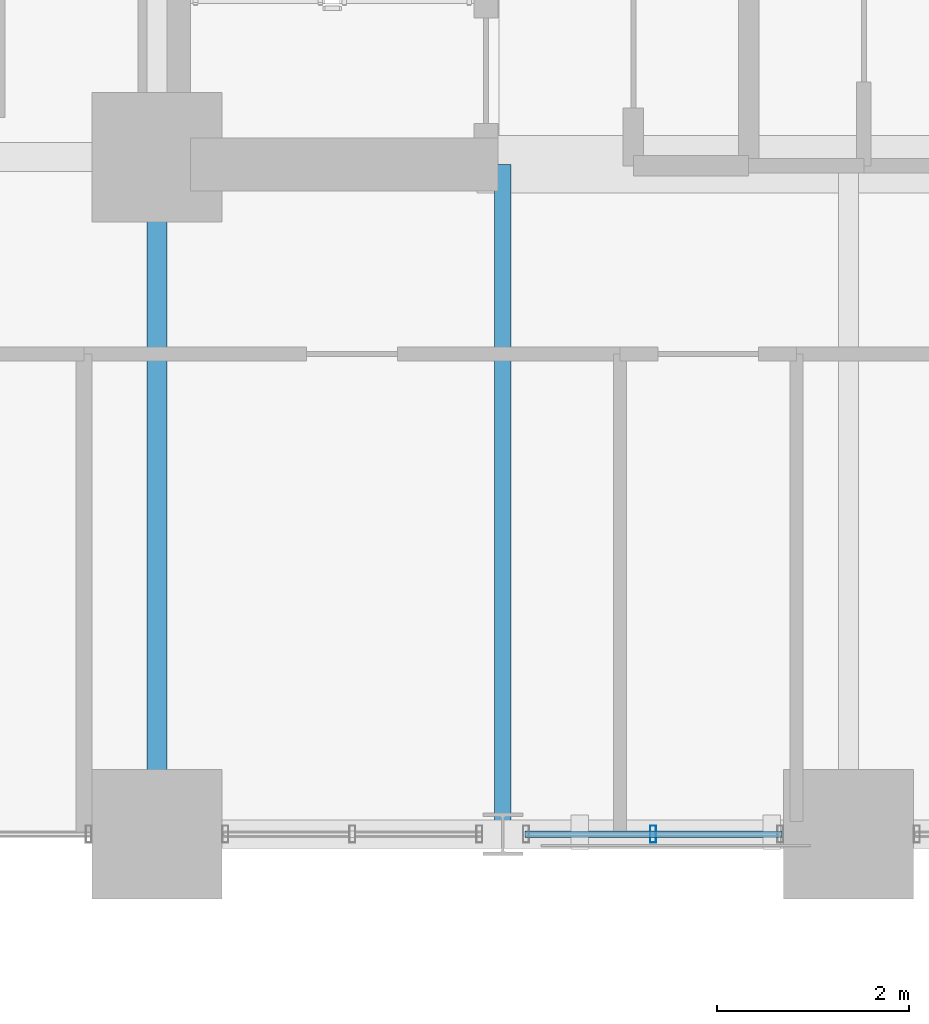
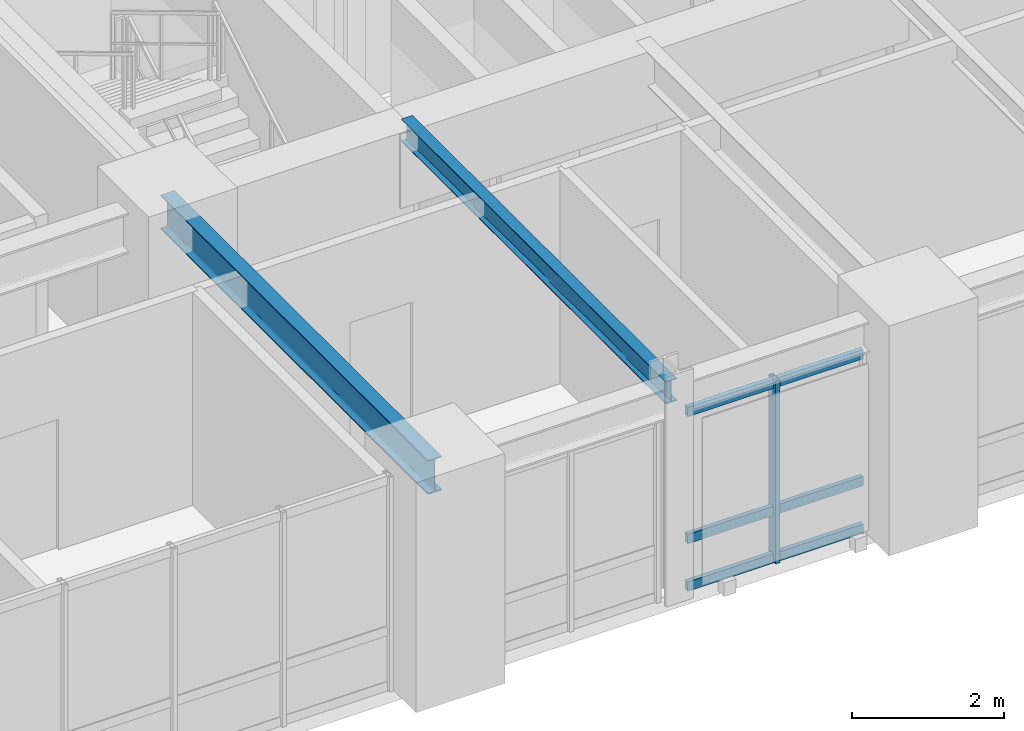
# One storey, part 3 of 17: 4 members, 2 beams, 1 element without a shape of its own.
"""IFC4 building model written with IfcOpenShell, lengths in metres."""

from ifc_helpers import new_model, si_unit, direction, frame, origin, origin_2d, place, context, subcontext, project, spatial, hollow_rectangle, i_section, extrude, source, transform, mapped, material, layer, layer_set, material_profile, profile_set, type_object, element, aggregate, save


model = new_model("IFC4")

# Units and contexts
model_context = context("Model", 3, precision=1e-05, world=origin(), true_north=direction((0.0, 1.0)))
body_context = subcontext(model_context, "Body", "Model", "MODEL_VIEW")
ifc_project = project(units=[si_unit("LENGTHUNIT", "METRE"), si_unit("AREAUNIT", "SQUARE_METRE"), si_unit("VOLUMEUNIT", "CUBIC_METRE"), si_unit("PLANEANGLEUNIT", "RADIAN"), si_unit("MASSUNIT", "GRAM", prefix="KILO")], contexts=[model_context])

# Site, building, storey
site_placement = place(None, origin())
site = spatial("IfcSite", under=ifc_project, at=site_placement, CompositionType="ELEMENT")
building_placement = place(site_placement, origin())
building = spatial("IfcBuilding", under=site, at=building_placement, Name="Kaliganga Portal Commons", CompositionType="ELEMENT")
storey_placement = place(building_placement, frame((0.0, 0.0, 43.800048828125)))
storey = spatial("IfcBuildingStorey", under=building, at=storey_placement, Name="L10", CompositionType="ELEMENT", Elevation=43.800048828125)

# Beams
ifc_material_1 = material(Name="Structural steel S355J2", Category="steel")
ifc_material_profile_1 = material_profile(ifc_material_1, i_section(OverallWidth=0.2099609375, OverallDepth=0.550048828125, WebThickness=0.010986328125, FlangeThickness=0.01708984375, FilletRadius=0.02392578125, at=origin_2d()), Name="IPE 550")
ifc_profile_set_1 = profile_set([ifc_material_profile_1], Name="Structural steel S355J2 wide-flange")
beam_type_1 = type_object("IfcBeamType", Name="BM-FLR-550", PredefinedType="BEAM", material=ifc_profile_set_1)
shared_shape_1 = source(origin(), body_context, "Body", "SweptSolid", [
    extrude(i_section(OverallWidth=0.2099609375, OverallDepth=0.550048828125, WebThickness=0.010986328125, FlangeThickness=0.01708984375, FilletRadius=0.02392578125, at=origin_2d()), origin(), (0.0, 0.0, 1.0), 7.0498046875),
])
beam_1_placement = place(storey_placement, frame((14.39990234375, 21.60009765625, 3.175048828125), z_axis=(0.0, 1.0, 0.0), x_axis=(-1.0, 0.0, 0.0)))
element("IfcBeam", 1, at=beam_1_placement, inside=storey, type_object=beam_type_1, Name="BM G L10 AS144", PredefinedType="BEAM", context=body_context, shape_type="MappedRepresentation", body=[
    mapped(shared_shape_1, transform((0.0, 0.0, 0.0), x_axis=(1.0, 0.0, 0.0), y_axis=(0.0, 1.0, 0.0), z_axis=(0.0, 0.0, 1.0), scale=1.0)),
])
ifc_material_profile_2 = material_profile(ifc_material_1, i_section(OverallWidth=0.169921875, OverallDepth=0.360107421875, WebThickness=0.008056640625, FlangeThickness=0.0126953125, FilletRadius=0.01806640625, at=origin_2d()), Name="IPE 360")
ifc_profile_set_2 = profile_set([ifc_material_profile_2], Name="Structural steel S355J2 wide-flange")
beam_type_2 = type_object("IfcBeamType", Name="BM-JST-360", PredefinedType="JOIST", material=ifc_profile_set_2)
shared_shape_2 = source(origin(), body_context, "Body", "SweptSolid", [
    extrude(i_section(OverallWidth=0.169921875, OverallDepth=0.360107421875, WebThickness=0.008056640625, FlangeThickness=0.0126953125, FilletRadius=0.01806640625, at=origin_2d()), origin(), (0.0, 0.0, 1.0), 6.974853515625),
])
beam_2_placement = place(storey_placement, frame((18.0, 21.60009765625, 3.27001953125), z_axis=(0.0, 1.0, 0.0), x_axis=(-1.0, 0.0, 0.0)))
element("IfcBeam", 2, at=beam_2_placement, inside=storey, type_object=beam_type_2, Name="BM G L10 AS180", PredefinedType="JOIST", context=body_context, shape_type="MappedRepresentation", body=[
    mapped(shared_shape_2, transform((0.0, 0.0, 0.0), x_axis=(1.0, 0.0, 0.0), y_axis=(0.0, 1.0, 0.0), z_axis=(0.0, 0.0, 1.0), scale=1.0)),
])

# Curtain wall, members
ifc_material_2 = material(Name="Anodized Aluminium and Laminated Low-E Glass", Category="aluminium")
ifc_layer = layer(ifc_material_2, 0.2099609375)
ifc_layer_set = layer_set([ifc_layer], Name="Anodized Aluminium and Laminated Low-E Glass")
curtain_wall_type = type_object("IfcCurtainWallType", Name="CW-SYS-03", PredefinedType="NOTDEFINED", material=ifc_layer_set)
curtain_wall_placement = place(storey_placement, origin())
curtain_wall = element("IfcCurtainWall", 3, at=curtain_wall_placement, inside=storey, type_object=curtain_wall_type, Name="CW 03 L10 P1E04S3", PredefinedType="NOTDEFINED")
ifc_material_3 = material(Name="Dark Bronze Anodized Aluminium", Category="aluminium")
ifc_material_profile_3 = material_profile(ifc_material_3, hollow_rectangle(XDim=0.06494140625, YDim=0.179931640625, WallThickness=0.00390625, at=origin_2d()), Name="ALU MULL 65x180x4")
ifc_profile_set_3 = profile_set([ifc_material_profile_3], Name="Dark Bronze Anodized Aluminium")
member_type_1 = type_object("IfcMemberType", Name="CW-MUL-180", PredefinedType="MULLION", material=ifc_profile_set_3)
shared_shape_3 = source(origin(), body_context, "Body", "SweptSolid", [
    extrude(hollow_rectangle(XDim=0.06494140625, YDim=0.179931640625, WallThickness=0.00390625, at=origin_2d()), origin(), (0.0, 0.0, 1.0), 2.949951171875),
])
member_1_placement = place(storey_placement, frame((19.56640625, 21.60009765625, 0.0), z_axis=(0.0, 0.0, 1.0), x_axis=(1.0, 0.0, 0.0)))
member_1 = element("IfcMember", 4, at=member_1_placement, type_object=member_type_1, Name="CW:03:L10:P1E04S3 Mullion 01", PredefinedType="MULLION", context=body_context, shape_type="MappedRepresentation", body=[
    mapped(shared_shape_3, transform((0.0, 0.0, 0.0), x_axis=(1.0, 0.0, 0.0), y_axis=(0.0, 1.0, 0.0), z_axis=(0.0, 0.0, 1.0), scale=1.0)),
])
ifc_material_profile_4 = material_profile(ifc_material_3, hollow_rectangle(XDim=0.070068359375, YDim=0.14990234375, WallThickness=0.00341796875, at=origin_2d()), Name="ALU TRAN 70x150x3.5")
ifc_profile_set_4 = profile_set([ifc_material_profile_4], Name="Dark Bronze Anodized Aluminium")
member_type_2 = type_object("IfcMemberType", Name="CW-TRN-150", PredefinedType="USERDEFINED", material=ifc_profile_set_4)
shared_shape_4 = source(origin(), body_context, "Body", "SweptSolid", [
    extrude(hollow_rectangle(XDim=0.070068359375, YDim=0.14990234375, WallThickness=0.00341796875, at=origin_2d()), origin(), (0.0, 0.0, 1.0), 2.675048828125),
])
member_2_placement = place(storey_placement, frame((18.22900390625, 21.60009765625, 0.06005859375), z_axis=(1.0, 0.0, 0.0), x_axis=(0.0, 1.0, 0.0)))
member_2 = element("IfcMember", 5, at=member_2_placement, type_object=member_type_2, Name="CW:03:L10:P1E04S3 Transom 1", ObjectType="TRANSOM", PredefinedType="USERDEFINED", context=body_context, shape_type="MappedRepresentation", body=[
    mapped(shared_shape_4, transform((0.0, 0.0, 0.0), x_axis=(1.0, 0.0, 0.0), y_axis=(0.0, 1.0, 0.0), z_axis=(0.0, 0.0, 1.0), scale=1.0)),
])
member_3_placement = place(storey_placement, frame((18.22900390625, 21.60009765625, 0.825927734375), z_axis=(1.0, 0.0, 0.0), x_axis=(0.0, 1.0, 0.0)))
member_3 = element("IfcMember", 6, at=member_3_placement, type_object=member_type_2, Name="CW:03:L10:P1E04S3 Transom 2", ObjectType="TRANSOM", PredefinedType="USERDEFINED", context=body_context, shape_type="MappedRepresentation", body=[
    mapped(shared_shape_4, transform((0.0, 0.0, 0.0), x_axis=(1.0, 0.0, 0.0), y_axis=(0.0, 1.0, 0.0), z_axis=(0.0, 0.0, 1.0), scale=1.0)),
])
member_4_placement = place(storey_placement, frame((18.22900390625, 21.60009765625, 2.869873046875), z_axis=(1.0, 0.0, 0.0), x_axis=(0.0, 1.0, 0.0)))
member_4 = element("IfcMember", 7, at=member_4_placement, type_object=member_type_2, Name="CW:03:L10:P1E04S3 Transom 3", ObjectType="TRANSOM", PredefinedType="USERDEFINED", context=body_context, shape_type="MappedRepresentation", body=[
    mapped(shared_shape_4, transform((0.0, 0.0, 0.0), x_axis=(1.0, 0.0, 0.0), y_axis=(0.0, 1.0, 0.0), z_axis=(0.0, 0.0, 1.0), scale=1.0)),
])
aggregate(curtain_wall, [member_1, member_2, member_3, member_4])

save(model, "model.ifc")
